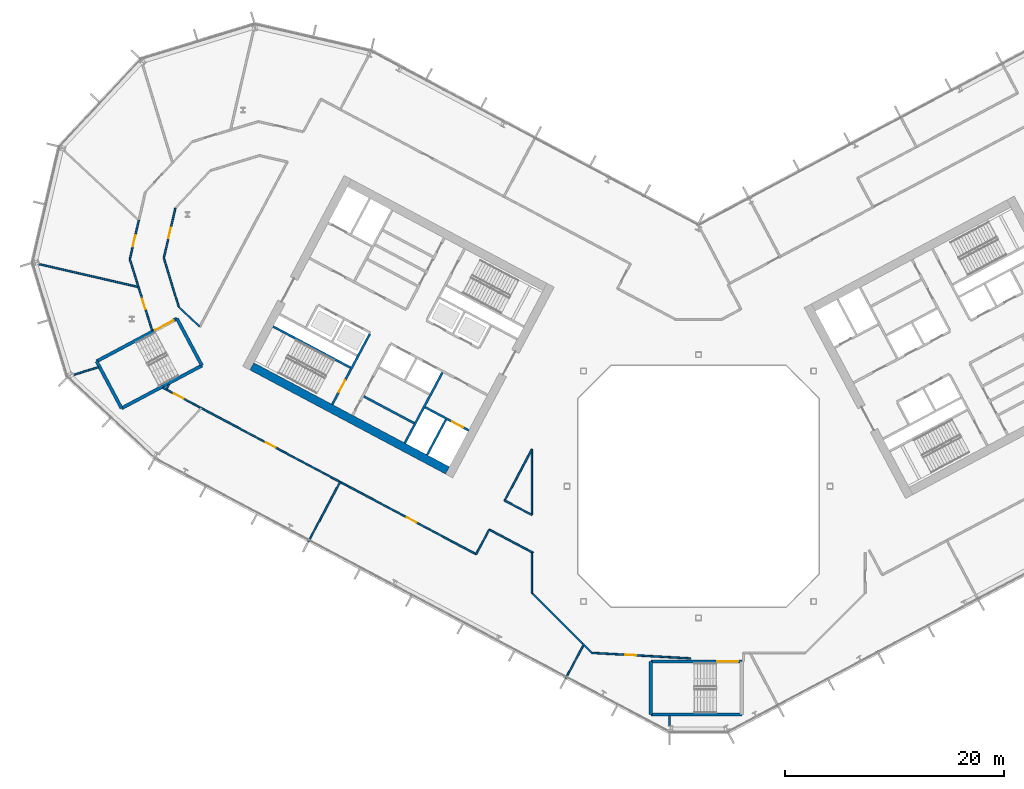
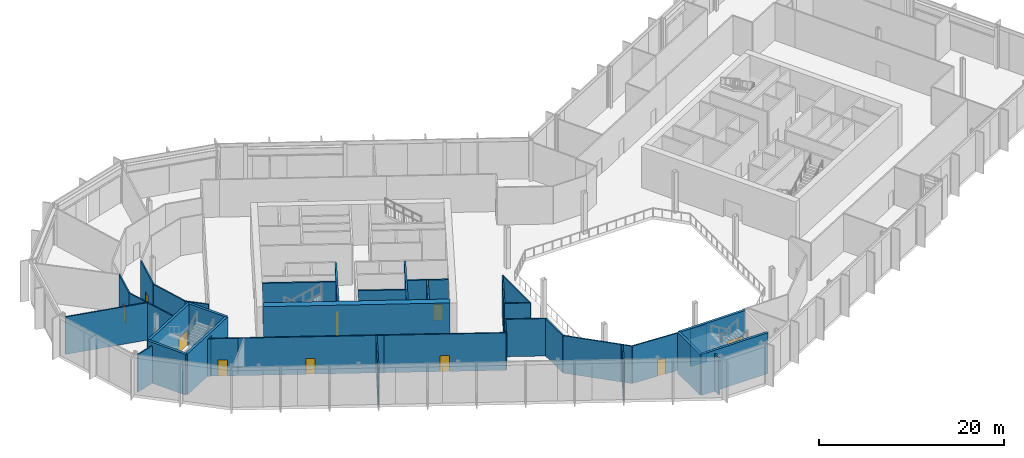
# One storey, part 13 of 31: 39 walls, 11 doors, 11 openings.
"""IFC4 building model written with IfcOpenShell, lengths in metres."""

from ifc_helpers import new_model, si_unit, direction, frame, frame_2d, origin, place, context, subcontext, project, spatial, rectangle, extrude, material, layer, layer_set, type_object, element, fill, save


model = new_model("IFC4")

# Units and contexts
model_context = context("Model", 3, precision=1e-05, world=origin(), true_north=direction((0.0, 1.0)))
body_context = subcontext(model_context, "Body", "Model", "MODEL_VIEW")
ifc_project = project(units=[si_unit("LENGTHUNIT", "METRE"), si_unit("AREAUNIT", "SQUARE_METRE"), si_unit("VOLUMEUNIT", "CUBIC_METRE"), si_unit("PLANEANGLEUNIT", "RADIAN"), si_unit("MASSUNIT", "GRAM", prefix="KILO")], contexts=[model_context])

# Site, building, storey
site_placement = place(None, origin())
site = spatial("IfcSite", under=ifc_project, at=site_placement, CompositionType="ELEMENT")
building_placement = place(site_placement, origin())
building = spatial("IfcBuilding", under=site, at=building_placement, Name="Cormorant Relay Tower", CompositionType="ELEMENT")
storey_placement = place(building_placement, frame((0.0, 0.0, 178.199951171875)))
storey = spatial("IfcBuildingStorey", under=building, at=storey_placement, Name="L38", CompositionType="ELEMENT", Elevation=178.199951171875)

# Walls
ifc_material_1 = material(Name="Concrete 40 MPa", Category="concrete")
ifc_layer_1 = layer(ifc_material_1, 0.199951171875)
ifc_layer_set_1 = layer_set([ifc_layer_1], Name="Core internal wall 200")
wall_type_1 = type_object("IfcWallType", Name="Core internal wall 200", PredefinedType="SOLIDWALL", material=ifc_layer_set_1)
wall_1_placement = place(storey_placement, frame((-25.936767578125, 5.74951171875, 0.0), z_axis=(0.0, 0.0, 1.0), x_axis=(-0.882934506056, 0.469496174655, 0.0)))
element("IfcWall", 1, at=wall_1_placement, inside=storey, type_object=wall_type_1, Name="L38 core A shaft and room wall", PredefinedType="SOLIDWALL", context=body_context, shape_type="SweptSolid", body=[
    extrude(rectangle(XDim=5.199951171875, YDim=0.199951171875, at=frame_2d((2.60009765625, 0.0))), origin(), (0.0, 0.0, 1.0), 5.400146484375),
])
ifc_material_2 = material(Name="Concrete 50 MPa", Category="concrete")
ifc_layer_2 = layer(ifc_material_2, 0.199951171875)
ifc_layer_set_2 = layer_set([ifc_layer_2], Name="Core shaft wall 200")
wall_type_2 = type_object("IfcWallType", Name="Core shaft wall 200", PredefinedType="SHEAR", material=ifc_layer_set_2)
wall_2_placement = place(storey_placement, frame((-23.04296875, 6.07958984375, 0.0), z_axis=(0.0, 0.0, 1.0), x_axis=(-0.469494272526, -0.882935517501, 0.0)))
element("IfcWall", 2, at=wall_2_placement, inside=storey, type_object=wall_type_2, Name="L38 core A shaft wall", PredefinedType="SHEAR", context=body_context, shape_type="SweptSolid", body=[
    extrude(rectangle(XDim=3.64990234375, YDim=0.199951171875, at=frame_2d((1.824951171875, 0.0))), origin(), (0.0, 0.0, 1.0), 5.400146484375),
])
wall_3_placement = place(storey_placement, frame((-23.360107421875, 10.38232421875, 0.0), z_axis=(0.0, 0.0, 1.0), x_axis=(-0.469480409012, -0.88294288918, 0.0)))
element("IfcWall", 3, at=wall_3_placement, inside=storey, type_object=wall_type_2, Name="L38 core A shaft wall", PredefinedType="SHEAR", context=body_context, shape_type="SweptSolid", body=[
    extrude(rectangle(XDim=7.300048828125, YDim=0.199951171875, at=frame_2d((3.64990234375, 0.0))), origin(), (0.0, 0.0, 1.0), 5.400146484375),
])

# Wall, opening, door
wall_4_placement = place(storey_placement, frame((-29.982421875, 13.9033203125, 0.0), z_axis=(0.0, 0.0, 1.0), x_axis=(-0.469454336211, -0.882956752176, 0.0)))
wall_4 = element("IfcWall", 4, at=wall_4_placement, inside=storey, type_object=wall_type_2, Name="L38 core A shaft wall", PredefinedType="SHEAR", context=body_context, shape_type="SweptSolid", body=[
    extrude(rectangle(XDim=7.300048828125, YDim=0.199951171875, at=frame_2d((3.64990234375, 0.0))), origin(), (0.0, 0.0, 1.0), 5.400146484375),
])
opening_1_placement = place(wall_4_placement, frame((4.800048828125, 0.0, 0.0)))
opening_1 = element("IfcOpeningElement", 5, at=opening_1_placement, cuts=wall_4, Name="Opening CDB-020", PredefinedType="OPENING", context=body_context, shape_type="SweptSolid", body=[
    extrude(rectangle(XDim=1.199951171875, YDim=2.10009765625, at=frame_2d((0.60009765625, 1.050048828125))), frame((0.0, 0.10986328125, 0.0), z_axis=(0.0, -1.0, 0.0), x_axis=(1.0, 0.0, 0.0)), (0.0, 0.0, 1.0), 0.219970703125),
])
ifc_material_3 = material(Name="Steel fire door", Category="steel")
door_type_1 = type_object("IfcDoorType", Name="Core stair door 1200x2100", OperationType="SINGLE_SWING_LEFT", PredefinedType="DOOR", material=ifc_material_3)
door_1_placement = place(opening_1_placement, frame((1.199951171875, 0.0, 0.0), z_axis=(0.0, 0.0, 1.0), x_axis=(-1.0, 0.0, 0.0)))
door_1 = element("IfcDoor", 6, at=door_1_placement, inside=storey, type_object=door_type_1, Name="Core stair door 1200x2100", OperationType="SINGLE_SWING_RIGHT", OverallHeight=2.10009765625, OverallWidth=1.199951171875, PredefinedType="DOOR", context=body_context, shape_type="SweptSolid", body=[
    extrude(rectangle(XDim=1.199951171875, YDim=2.10009765625, at=frame_2d((0.60009765625, 1.050048828125))), frame((0.0, 0.02490234375, 0.0), z_axis=(0.0, -1.0, 0.0), x_axis=(1.0, 0.0, 0.0)), (0.0, 0.0, 1.0), 0.050048828125),
])
fill(opening_1, door_1)

wall_5_placement = place(storey_placement, frame((-20.96533203125, 5.088134765625, 0.0), z_axis=(0.0, 0.0, 1.0), x_axis=(-0.882925986334, 0.469512196493, 0.0)))
wall_5 = element("IfcWall", 7, at=wall_5_placement, inside=storey, type_object=wall_type_2, Name="L38 core A shaft wall", PredefinedType="SHEAR", context=body_context, shape_type="SweptSolid", body=[
    extrude(rectangle(XDim=4.5, YDim=0.199951171875, at=frame_2d((2.25, 0.0))), origin(), (0.0, 0.0, 1.0), 5.400146484375),
])
opening_2_placement = place(wall_5_placement, frame((0.60009765625, 0.0, 0.0)))
opening_2 = element("IfcOpeningElement", 8, at=opening_2_placement, cuts=wall_5, Name="Opening LD1-019", PredefinedType="OPENING", context=body_context, shape_type="SweptSolid", body=[
    extrude(rectangle(XDim=1.10009765625, YDim=2.10009765625, at=frame_2d((0.550048828125, 1.050048828125))), frame((0.0, 0.10986328125, 0.0), z_axis=(0.0, -1.0, 0.0), x_axis=(1.0, 0.0, 0.0)), (0.0, 0.0, 1.0), 0.219970703125),
])
ifc_material_4 = material(Name="Stainless steel 316", Category="steel")
door_type_2 = type_object("IfcDoorType", Name="Lift landing door 1100x2100", OperationType="DOUBLE_DOOR_SLIDING", PredefinedType="DOOR", material=ifc_material_4)
door_2_placement = place(opening_2_placement, origin())
door_2 = element("IfcDoor", 9, at=door_2_placement, inside=storey, type_object=door_type_2, Name="FF1 landing door", OperationType="DOUBLE_DOOR_SLIDING", OverallHeight=2.10009765625, OverallWidth=1.10009765625, PredefinedType="DOOR", context=body_context, shape_type="SweptSolid", body=[
    extrude(rectangle(XDim=1.10009765625, YDim=2.10009765625, at=frame_2d((0.550048828125, 1.050048828125))), frame((0.0, 0.02490234375, 0.0), z_axis=(0.0, -1.0, 0.0), x_axis=(1.0, 0.0, 0.0)), (0.0, 0.0, 1.0), 0.050048828125),
])
fill(opening_2, door_2)

# Walls
wall_6_placement = place(storey_placement, frame((-31.7373046875, 10.815673828125, 0.0), z_axis=(0.0, 0.0, 1.0), x_axis=(-0.882940221191, 0.469485426614, 0.0)))
element("IfcWall", 10, at=wall_6_placement, inside=storey, type_object=wall_type_2, Name="L38 core A shaft wall", PredefinedType="SHEAR", context=body_context, shape_type="SweptSolid", body=[
    extrude(rectangle(XDim=8.0, YDim=0.199951171875, at=frame_2d((4.0, 0.0))), origin(), (0.0, 0.0, 1.0), 5.400146484375),
])
ifc_material_5 = material(Name="Concrete 60 MPa", Category="concrete")
ifc_layer_3 = layer(ifc_material_5, 0.75)
ifc_layer_set_3 = layer_set([ifc_layer_3], Name="Core wall 750")
wall_type_3 = type_object("IfcWallType", Name="Core wall 750", PredefinedType="SHEAR", material=ifc_layer_set_3)
wall_7_placement = place(storey_placement, frame((-22.90185546875, 1.446044921875, 0.0), z_axis=(0.0, 0.0, 1.0), x_axis=(-0.88294509198, 0.469476266226, 0.0)))
element("IfcWall", 11, at=wall_7_placement, inside=storey, type_object=wall_type_3, Name="L38 core A wall", PredefinedType="SHEAR", context=body_context, shape_type="SweptSolid", body=[
    extrude(rectangle(XDim=20.199951171875, YDim=0.75, at=frame_2d((10.10009765625, 0.0))), origin(), (0.0, 0.0, 1.0), 5.400146484375),
])

# Wall, opening, door
ifc_material_6 = material(Name="Gypsum board fire partition")
ifc_layer_4 = layer(ifc_material_6, 0.14990234375)
ifc_layer_set_4 = layer_set([ifc_layer_4], Name="Corridor partition 150 EI 60")
wall_type_4 = type_object("IfcWallType", Name="Corridor partition 150 EI 60", PredefinedType="PARTITIONING", material=ifc_layer_set_4)
wall_8_placement = place(storey_placement, frame((-51.04296875, 24.300048828125, 0.0), z_axis=(0.0, 0.0, 1.0), x_axis=(-0.225042980234, -0.974348837454, 0.0)))
wall_8 = element("IfcWall", 12, at=wall_8_placement, inside=storey, type_object=wall_type_4, Name="wall/L38/part/004", PredefinedType="PARTITIONING", context=body_context, shape_type="SweptSolid", body=[
    extrude(rectangle(XDim=3.69287109375, YDim=0.14990234375, at=frame_2d((1.846435546875, 0.0))), origin(), (0.0, 0.0, 1.0), 4.949951171875),
])
opening_3_placement = place(wall_8_placement, frame((1.470947265625, 0.0, 0.0)))
opening_3 = element("IfcOpeningElement", 13, at=opening_3_placement, cuts=wall_8, Name="Opening DS-101", PredefinedType="OPENING", context=body_context, shape_type="SweptSolid", body=[
    extrude(rectangle(XDim=1.0, YDim=2.10009765625, at=frame_2d((0.5, 1.050048828125))), frame((0.0, 0.0849609375, 0.0), z_axis=(0.0, -1.0, 0.0), x_axis=(1.0, 0.0, 0.0)), (0.0, 0.0, 1.0), 0.169921875),
])
ifc_material_7 = material(Name="Timber door leaf", Category="wood")
door_type_3 = type_object("IfcDoorType", Name="Suite door 1000x2100", OperationType="SINGLE_SWING_LEFT", PredefinedType="DOOR", material=ifc_material_7)
door_3_placement = place(opening_3_placement, frame((1.0, 0.0, 0.0), z_axis=(0.0, 0.0, 1.0), x_axis=(-1.0, 0.0, 0.0)))
door_3 = element("IfcDoor", 14, at=door_3_placement, inside=storey, type_object=door_type_3, Name="door/L38/014", OperationType="SINGLE_SWING_RIGHT", OverallHeight=2.10009765625, OverallWidth=1.0, PredefinedType="DOOR", context=body_context, shape_type="SweptSolid", body=[
    extrude(rectangle(XDim=1.0, YDim=2.10009765625, at=frame_2d((0.5, 1.050048828125))), frame((0.0, 0.02490234375, 0.0), z_axis=(0.0, -1.0, 0.0), x_axis=(1.0, 0.0, 0.0)), (0.0, 0.0, 1.0), 0.050048828125),
])
fill(opening_3, door_3)

# Wall
wall_9_placement = place(storey_placement, frame((-51.8740234375, 20.701904296875, 0.0), z_axis=(0.0, 0.0, 1.0), x_axis=(0.299019355328, -0.954247046178, 0.0)))
element("IfcWall", 15, at=wall_9_placement, inside=storey, type_object=wall_type_4, Name="wall/L38/part/005", PredefinedType="PARTITIONING", context=body_context, shape_type="SweptSolid", body=[
    extrude(rectangle(XDim=2.595458984375, YDim=0.14990234375, at=frame_2d((1.2978515625, 0.0))), origin(), (0.0, 0.0, 1.0), 4.949951171875),
])

# Wall, opening, door
wall_10_placement = place(storey_placement, frame((-49.8369140625, 14.199951171875, 0.0), z_axis=(0.0, 0.0, 1.0), x_axis=(-0.298950529123, 0.95426861058, 0.0)))
wall_10 = element("IfcWall", 16, at=wall_10_placement, inside=storey, type_object=wall_type_4, Name="wall/L38/part/006", PredefinedType="PARTITIONING", context=body_context, shape_type="SweptSolid", body=[
    extrude(rectangle(XDim=4.218017578125, YDim=0.14990234375, at=frame_2d((2.10888671875, 0.0))), origin(), (0.0, 0.0, 1.0), 4.949951171875),
])
opening_4_placement = place(wall_10_placement, frame((2.050048828125, 0.0, 0.0)))
opening_4 = element("IfcOpeningElement", 17, at=opening_4_placement, cuts=wall_10, Name="Opening DS-102", PredefinedType="OPENING", context=body_context, shape_type="SweptSolid", body=[
    extrude(rectangle(XDim=1.0, YDim=2.10009765625, at=frame_2d((0.5, 1.050048828125))), frame((0.0, 0.0849609375, 0.0), z_axis=(0.0, -1.0, 0.0), x_axis=(1.0, 0.0, 0.0)), (0.0, 0.0, 1.0), 0.169921875),
])
door_4_placement = place(opening_4_placement, origin())
door_4 = element("IfcDoor", 18, at=door_4_placement, inside=storey, type_object=door_type_3, Name="door/L38/015", OperationType="SINGLE_SWING_RIGHT", OverallHeight=2.10009765625, OverallWidth=1.0, PredefinedType="DOOR", context=body_context, shape_type="SweptSolid", body=[
    extrude(rectangle(XDim=1.0, YDim=2.10009765625, at=frame_2d((0.5, 1.050048828125))), frame((0.0, 0.02490234375, 0.0), z_axis=(0.0, -1.0, 0.0), x_axis=(1.0, 0.0, 0.0)), (0.0, 0.0, 1.0), 0.050048828125),
])
fill(opening_4, door_4)

# Wall
wall_11_placement = place(storey_placement, frame((-48.50537109375, 8.887939453125, 0.0), z_axis=(0.0, 0.0, 1.0), x_axis=(0.471490041511, 0.881871385609, 0.0)))
element("IfcWall", 19, at=wall_11_placement, inside=storey, type_object=wall_type_4, Name="wall/L38/part/012", PredefinedType="PARTITIONING", context=body_context, shape_type="SweptSolid", body=[
    extrude(rectangle(XDim=0.435546875, YDim=0.14990234375, at=frame_2d((0.2177734375, 0.0))), origin(), (0.0, 0.0, 1.0), 4.949951171875),
])

# Wall, opening, door
wall_12_placement = place(storey_placement, frame((-48.85888671875, 8.990966796875, 0.0), z_axis=(0.0, 0.0, 1.0), x_axis=(0.88285411743, -0.469647322293, 0.0)))
wall_12 = element("IfcWall", 20, at=wall_12_placement, inside=storey, type_object=wall_type_4, Name="wall/L38/part/013", PredefinedType="PARTITIONING", context=body_context, shape_type="SweptSolid", body=[
    extrude(rectangle(XDim=3.300537109375, YDim=0.14990234375, at=frame_2d((1.650390625, 0.0))), origin(), (0.0, 0.0, 1.0), 4.949951171875),
])
opening_5_placement = place(wall_12_placement, frame((1.14990234375, 0.0, 0.0)))
opening_5 = element("IfcOpeningElement", 21, at=opening_5_placement, cuts=wall_12, Name="Opening DS-103", PredefinedType="OPENING", context=body_context, shape_type="SweptSolid", body=[
    extrude(rectangle(XDim=1.0, YDim=2.10009765625, at=frame_2d((0.5, 1.050048828125))), frame((0.0, 0.0849609375, 0.0), z_axis=(0.0, -1.0, 0.0), x_axis=(1.0, 0.0, 0.0)), (0.0, 0.0, 1.0), 0.169921875),
])
door_5_placement = place(opening_5_placement, frame((1.0, 0.0, 0.0), z_axis=(0.0, 0.0, 1.0), x_axis=(-1.0, 0.0, 0.0)))
door_5 = element("IfcDoor", 22, at=door_5_placement, inside=storey, type_object=door_type_3, Name="door/L38/016", OperationType="SINGLE_SWING_RIGHT", OverallHeight=2.10009765625, OverallWidth=1.0, PredefinedType="DOOR", context=body_context, shape_type="SweptSolid", body=[
    extrude(rectangle(XDim=1.0, YDim=2.10009765625, at=frame_2d((0.5, 1.050048828125))), frame((0.0, 0.02490234375, 0.0), z_axis=(0.0, -1.0, 0.0), x_axis=(1.0, 0.0, 0.0)), (0.0, 0.0, 1.0), 0.050048828125),
])
fill(opening_5, door_5)

wall_13_placement = place(storey_placement, frame((-31.991943359375, 0.02197265625, 0.0), z_axis=(0.0, 0.0, 1.0), x_axis=(-0.882949241478, 0.469468462172, 0.0)))
wall_13 = element("IfcWall", 23, at=wall_13_placement, inside=storey, type_object=wall_type_4, Name="wall/L38/part/016", PredefinedType="PARTITIONING", context=body_context, shape_type="SweptSolid", body=[
    extrude(rectangle(XDim=15.802978515625, YDim=0.14990234375, at=frame_2d((7.9013671875, 0.0))), origin(), (0.0, 0.0, 1.0), 4.949951171875),
])
opening_6_placement = place(wall_13_placement, frame((7.448974609375, 0.0, 0.0)))
opening_6 = element("IfcOpeningElement", 24, at=opening_6_placement, cuts=wall_13, Name="Opening DS-104", PredefinedType="OPENING", context=body_context, shape_type="SweptSolid", body=[
    extrude(rectangle(XDim=1.0, YDim=2.10009765625, at=frame_2d((0.5, 1.050048828125))), frame((0.0, 0.0849609375, 0.0), z_axis=(0.0, -1.0, 0.0), x_axis=(1.0, 0.0, 0.0)), (0.0, 0.0, 1.0), 0.169921875),
])
door_6_placement = place(opening_6_placement, origin())
door_6 = element("IfcDoor", 25, at=door_6_placement, inside=storey, type_object=door_type_3, Name="door/L38/017", OperationType="SINGLE_SWING_LEFT", OverallHeight=2.10009765625, OverallWidth=1.0, PredefinedType="DOOR", context=body_context, shape_type="SweptSolid", body=[
    extrude(rectangle(XDim=1.0, YDim=2.10009765625, at=frame_2d((0.5, 1.050048828125))), frame((0.0, 0.02490234375, 0.0), z_axis=(0.0, -1.0, 0.0), x_axis=(1.0, 0.0, 0.0)), (0.0, 0.0, 1.0), 0.050048828125),
])
fill(opening_6, door_6)

wall_14_placement = place(storey_placement, frame((-20.285888671875, -6.201904296875, 0.0), z_axis=(0.0, 0.0, 1.0), x_axis=(-0.882958308518, 0.469451409007, 0.0)))
wall_14 = element("IfcWall", 26, at=wall_14_placement, inside=storey, type_object=wall_type_4, Name="wall/L38/part/024", PredefinedType="PARTITIONING", context=body_context, shape_type="SweptSolid", body=[
    extrude(rectangle(XDim=13.2578125, YDim=0.14990234375, at=frame_2d((6.62890625, 0.0))), origin(), (0.0, 0.0, 1.0), 4.949951171875),
])
opening_7_placement = place(wall_14_placement, frame((6.14990234375, 0.0, 0.0)))
opening_7 = element("IfcOpeningElement", 27, at=opening_7_placement, cuts=wall_14, Name="Opening DS-105", PredefinedType="OPENING", context=body_context, shape_type="SweptSolid", body=[
    extrude(rectangle(XDim=1.0, YDim=2.10009765625, at=frame_2d((0.5, 1.050048828125))), frame((0.0, 0.0849609375, 0.0), z_axis=(0.0, -1.0, 0.0), x_axis=(1.0, 0.0, 0.0)), (0.0, 0.0, 1.0), 0.169921875),
])
door_7_placement = place(opening_7_placement, origin())
door_7 = element("IfcDoor", 28, at=door_7_placement, inside=storey, type_object=door_type_3, Name="door/L38/018", OperationType="SINGLE_SWING_LEFT", OverallHeight=2.10009765625, OverallWidth=1.0, PredefinedType="DOOR", context=body_context, shape_type="SweptSolid", body=[
    extrude(rectangle(XDim=1.0, YDim=2.10009765625, at=frame_2d((0.5, 1.050048828125))), frame((0.0, 0.02490234375, 0.0), z_axis=(0.0, -1.0, 0.0), x_axis=(1.0, 0.0, 0.0)), (0.0, 0.0, 1.0), 0.050048828125),
])
fill(opening_7, door_7)

# Walls
wall_15_placement = place(storey_placement, frame((-20.287109375, -6.201904296875, 0.0), z_axis=(0.0, 0.0, 1.0), x_axis=(0.469737002115, 0.882806405077, 0.0)))
element("IfcWall", 29, at=wall_15_placement, inside=storey, type_object=wall_type_4, Name="wall/L38/part/025", PredefinedType="PARTITIONING", context=body_context, shape_type="SweptSolid", body=[
    extrude(rectangle(XDim=2.546142578125, YDim=0.14990234375, at=frame_2d((1.27294921875, 0.0))), origin(), (0.0, 0.0, 1.0), 4.949951171875),
])
wall_16_placement = place(storey_placement, frame((-19.089111328125, -3.950927734375, 0.0), z_axis=(0.0, 0.0, 1.0), x_axis=(0.882996405651, -0.46937974776, 0.0)))
element("IfcWall", 30, at=wall_16_placement, inside=storey, type_object=wall_type_4, Name="wall/L38/part/027", PredefinedType="PARTITIONING", context=body_context, shape_type="SweptSolid", body=[
    extrude(rectangle(XDim=4.531494140625, YDim=0.14990234375, at=frame_2d((2.265625, 0.0))), origin(), (0.0, 0.0, 1.0), 4.949951171875),
])
wall_17_placement = place(storey_placement, frame((-10.60498046875, -14.333984375, 0.0), z_axis=(0.0, 0.0, 1.0), x_axis=(-0.707181925371, 0.707031629016, 0.0)))
element("IfcWall", 31, at=wall_17_placement, inside=storey, type_object=wall_type_4, Name="wall/L38/part/030", PredefinedType="PARTITIONING", context=body_context, shape_type="SweptSolid", body=[
    extrude(rectangle(XDim=6.49755859375, YDim=0.14990234375, at=frame_2d((3.248779296875, 0.0))), origin(), (0.0, 0.0, 1.0), 4.949951171875),
])
wall_18_placement = place(storey_placement, frame((-15.199951171875, -9.739990234375, 0.0), z_axis=(0.0, 0.0, 1.0), x_axis=(0.0, 1.0, 0.0)))
element("IfcWall", 32, at=wall_18_placement, inside=storey, type_object=wall_type_4, Name="wall/L38/part/031", PredefinedType="PARTITIONING", context=body_context, shape_type="SweptSolid", body=[
    extrude(rectangle(XDim=3.68505859375, YDim=0.14990234375, at=frame_2d((1.842529296875, 0.0))), origin(), (0.0, 0.0, 1.0), 4.949951171875),
])
wall_19_placement = place(storey_placement, frame((-9.739990234375, -15.199951171875, 0.0), z_axis=(0.0, 0.0, 1.0), x_axis=(-0.706707736823, 0.707505600483, 0.0)))
element("IfcWall", 33, at=wall_19_placement, inside=storey, type_object=wall_type_4, Name="wall/L38/part/033", PredefinedType="PARTITIONING", context=body_context, shape_type="SweptSolid", body=[
    extrude(rectangle(XDim=1.223876953125, YDim=0.14990234375, at=frame_2d((0.61181640625, 0.0))), origin(), (0.0, 0.0, 1.0), 4.949951171875),
])

# Wall, opening, door
wall_20_placement = place(storey_placement, frame((-2.658935546875, -15.594970703125, 0.0), z_axis=(0.0, 0.0, 1.0), x_axis=(-0.998447616415, 0.055698808556, 0.0)))
wall_20 = element("IfcWall", 34, at=wall_20_placement, inside=storey, type_object=wall_type_4, Name="wall/L38/part/034", PredefinedType="PARTITIONING", context=body_context, shape_type="SweptSolid", body=[
    extrude(rectangle(XDim=7.092041015625, YDim=0.14990234375, at=frame_2d((3.5458984375, 0.0))), origin(), (0.0, 0.0, 1.0), 4.949951171875),
])
opening_8_placement = place(wall_20_placement, frame((3.050048828125, 0.0, 0.0)))
opening_8 = element("IfcOpeningElement", 35, at=opening_8_placement, cuts=wall_20, Name="Opening DS-106", PredefinedType="OPENING", context=body_context, shape_type="SweptSolid", body=[
    extrude(rectangle(XDim=1.0, YDim=2.10009765625, at=frame_2d((0.5, 1.050048828125))), frame((0.0, 0.0849609375, 0.0), z_axis=(0.0, -1.0, 0.0), x_axis=(1.0, 0.0, 0.0)), (0.0, 0.0, 1.0), 0.169921875),
])
door_8_placement = place(opening_8_placement, origin())
door_8 = element("IfcDoor", 36, at=door_8_placement, inside=storey, type_object=door_type_3, Name="door/L38/019", OperationType="SINGLE_SWING_LEFT", OverallHeight=2.10009765625, OverallWidth=1.0, PredefinedType="DOOR", context=body_context, shape_type="SweptSolid", body=[
    extrude(rectangle(XDim=1.0, YDim=2.10009765625, at=frame_2d((0.5, 1.050048828125))), frame((0.0, 0.02490234375, 0.0), z_axis=(0.0, -1.0, 0.0), x_axis=(1.0, 0.0, 0.0)), (0.0, 0.0, 1.0), 0.050048828125),
])
fill(opening_8, door_8)

# Wall
wall_21_placement = place(storey_placement, frame((-0.697998046875, -15.705078125, 0.0), z_axis=(0.0, 0.0, 1.0), x_axis=(-0.998427284327, 0.056062089795, 0.0)))
element("IfcWall", 37, at=wall_21_placement, inside=storey, type_object=wall_type_4, Name="wall/L38/part/039", PredefinedType="PARTITIONING", context=body_context, shape_type="SweptSolid", body=[
    extrude(rectangle(XDim=1.964111328125, YDim=0.14990234375, at=frame_2d((0.98193359375, 0.0))), origin(), (0.0, 0.0, 1.0), 4.949951171875),
])

# Wall, opening, door
wall_22_placement = place(storey_placement, frame((-48.77001953125, 20.81103515625, 0.0), z_axis=(0.0, 0.0, 1.0), x_axis=(0.224992850796, 0.97436041437, 0.0)))
wall_22 = element("IfcWall", 38, at=wall_22_placement, inside=storey, type_object=wall_type_4, Name="wall/L38/part/073", PredefinedType="PARTITIONING", context=body_context, shape_type="SweptSolid", body=[
    extrude(rectangle(XDim=4.679931640625, YDim=0.14990234375, at=frame_2d((2.33984375, 0.0))), origin(), (0.0, 0.0, 1.0), 4.949951171875),
])
opening_9_placement = place(wall_22_placement, frame((1.85009765625, 0.0, 0.0)))
opening_9 = element("IfcOpeningElement", 39, at=opening_9_placement, cuts=wall_22, Name="Opening DS-089", PredefinedType="OPENING", context=body_context, shape_type="SweptSolid", body=[
    extrude(rectangle(XDim=1.0, YDim=2.10009765625, at=frame_2d((0.5, 1.050048828125))), frame((0.0, 0.0849609375, 0.0), z_axis=(0.0, -1.0, 0.0), x_axis=(1.0, 0.0, 0.0)), (0.0, 0.0, 1.0), 0.169921875),
])
door_9_placement = place(opening_9_placement, origin())
door_9 = element("IfcDoor", 40, at=door_9_placement, inside=storey, type_object=door_type_3, Name="door/L38/001", OperationType="SINGLE_SWING_LEFT", OverallHeight=2.10009765625, OverallWidth=1.0, PredefinedType="DOOR", context=body_context, shape_type="SweptSolid", body=[
    extrude(rectangle(XDim=1.0, YDim=2.10009765625, at=frame_2d((0.5, 1.050048828125))), frame((0.0, 0.02490234375, 0.0), z_axis=(0.0, -1.0, 0.0), x_axis=(1.0, 0.0, 0.0)), (0.0, 0.0, 1.0), 0.050048828125),
])
fill(opening_9, door_9)

# Walls
wall_23_placement = place(storey_placement, frame((-45.491943359375, 14.553955078125, 0.0), z_axis=(0.0, 0.0, 1.0), x_axis=(-0.731369352177, 0.681981576508, 0.0)))
element("IfcWall", 41, at=wall_23_placement, inside=storey, type_object=wall_type_4, Name="wall/L38/part/078", PredefinedType="PARTITIONING", context=body_context, shape_type="SweptSolid", body=[
    extrude(rectangle(XDim=2.610107421875, YDim=0.14990234375, at=frame_2d((1.30517578125, 0.0))), origin(), (0.0, 0.0, 1.0), 4.949951171875),
])
wall_24_placement = place(storey_placement, frame((-47.40087890625, 16.333984375, 0.0), z_axis=(0.0, 0.0, 1.0), x_axis=(-0.292443752142, 0.956282725889, 0.0)))
element("IfcWall", 42, at=wall_24_placement, inside=storey, type_object=wall_type_4, Name="wall/L38/part/079", PredefinedType="PARTITIONING", context=body_context, shape_type="SweptSolid", body=[
    extrude(rectangle(XDim=4.681640625, YDim=0.14990234375, at=frame_2d((2.3408203125, 0.0))), origin(), (0.0, 0.0, 1.0), 4.949951171875),
])
wall_25_placement = place(storey_placement, frame((-15.199951171875, -2.62109375, 0.0), z_axis=(0.0, 0.0, 1.0), x_axis=(0.0, 1.0, 0.0)))
element("IfcWall", 43, at=wall_25_placement, inside=storey, type_object=wall_type_4, Name="wall/L38/part/080", PredefinedType="PARTITIONING", context=body_context, shape_type="SweptSolid", body=[
    extrude(rectangle(XDim=5.985107421875, YDim=0.14990234375, at=frame_2d((2.99267578125, 0.0))), origin(), (0.0, 0.0, 1.0), 4.949951171875),
])
wall_26_placement = place(storey_placement, frame((-15.199951171875, 3.364013671875, 0.0), z_axis=(0.0, 0.0, 1.0), x_axis=(-0.469470458601, -0.882948179963, 0.0)))
element("IfcWall", 44, at=wall_26_placement, inside=storey, type_object=wall_type_4, Name="wall/L38/part/081", PredefinedType="PARTITIONING", context=body_context, shape_type="SweptSolid", body=[
    extrude(rectangle(XDim=5.28466796875, YDim=0.14990234375, at=frame_2d((2.642333984375, 0.0))), origin(), (0.0, 0.0, 1.0), 4.949951171875),
])
wall_27_placement = place(storey_placement, frame((-17.680908203125, -1.302001953125, 0.0), z_axis=(0.0, 0.0, 1.0), x_axis=(0.882955921388, -0.469455898766, 0.0)))
element("IfcWall", 45, at=wall_27_placement, inside=storey, type_object=wall_type_4, Name="wall/L38/part/082", PredefinedType="PARTITIONING", context=body_context, shape_type="SweptSolid", body=[
    extrude(rectangle(XDim=2.809814453125, YDim=0.14990234375, at=frame_2d((1.40478515625, 0.0))), origin(), (0.0, 0.0, 1.0), 4.949951171875),
])
ifc_material_8 = material(Name="Concrete 50 MPa", Category="concrete")
ifc_layer_5 = layer(ifc_material_8, 0.300048828125)
ifc_layer_set_5 = layer_set([ifc_layer_5], Name="Remote stair wall 300")
wall_type_5 = type_object("IfcWallType", Name="Remote stair wall 300", PredefinedType="SHEAR", material=ifc_layer_set_5)
wall_28_placement = place(storey_placement, frame((3.949951171875, -20.824951171875, 0.0), z_axis=(0.0, 0.0, 1.0), x_axis=(-1.0, 0.0, 0.0)))
element("IfcWall", 46, at=wall_28_placement, inside=storey, type_object=wall_type_5, Name="L38 exit stair RK1 wall", PredefinedType="SHEAR", context=body_context, shape_type="SweptSolid", body=[
    extrude(rectangle(XDim=8.300048828125, YDim=0.300048828125, at=frame_2d((4.14990234375, 0.0))), origin(), (0.0, 0.0, 1.0), 5.400146484375),
])
wall_29_placement = place(storey_placement, frame((-4.35009765625, -20.824951171875, 0.0), z_axis=(0.0, 0.0, 1.0), x_axis=(0.0, 1.0, 0.0)))
element("IfcWall", 47, at=wall_29_placement, inside=storey, type_object=wall_type_5, Name="L38 exit stair RK1 wall", PredefinedType="SHEAR", context=body_context, shape_type="SweptSolid", body=[
    extrude(rectangle(XDim=4.849853515625, YDim=0.300048828125, at=frame_2d((2.4248046875, 0.0))), origin(), (0.0, 0.0, 1.0), 5.400146484375),
])

# Wall, opening, door
wall_30_placement = place(storey_placement, frame((-4.35009765625, -15.97509765625, 0.0), z_axis=(0.0, 0.0, 1.0), x_axis=(1.0, 0.0, 0.0)))
wall_30 = element("IfcWall", 48, at=wall_30_placement, inside=storey, type_object=wall_type_5, Name="L38 exit stair RK1 wall", PredefinedType="SHEAR", context=body_context, shape_type="SweptSolid", body=[
    extrude(rectangle(XDim=8.300048828125, YDim=0.300048828125, at=frame_2d((4.14990234375, 0.0))), origin(), (0.0, 0.0, 1.0), 5.400146484375),
])
opening_10_placement = place(wall_30_placement, frame((6.050048828125, 0.0, 0.0)))
opening_10 = element("IfcOpeningElement", 49, at=opening_10_placement, cuts=wall_30, Name="Opening CDE-006", PredefinedType="OPENING", context=body_context, shape_type="SweptSolid", body=[
    extrude(rectangle(XDim=1.89990234375, YDim=2.10009765625, at=frame_2d((0.949951171875, 1.050048828125))), frame((0.0, 0.159912109375, 0.0), z_axis=(0.0, -1.0, 0.0), x_axis=(1.0, 0.0, 0.0)), (0.0, 0.0, 1.0), 0.320068359375),
])
ifc_material_9 = material(Name="Steel fire door", Category="steel")
door_type_4 = type_object("IfcDoorType", Name="Remote stair door 1900x2100", OperationType="DOUBLE_DOOR_SINGLE_SWING", PredefinedType="DOOR", material=ifc_material_9)
door_10_placement = place(opening_10_placement, frame((1.89990234375, 0.0, 0.0), z_axis=(0.0, 0.0, 1.0), x_axis=(-1.0, 0.0, 0.0)))
door_10 = element("IfcDoor", 50, at=door_10_placement, inside=storey, type_object=door_type_4, Name="Exit stair RK1 door", OperationType="DOUBLE_DOOR_SINGLE_SWING", OverallHeight=2.10009765625, OverallWidth=1.89990234375, PredefinedType="DOOR", context=body_context, shape_type="SweptSolid", body=[
    extrude(rectangle(XDim=1.89990234375, YDim=2.10009765625, at=frame_2d((0.949951171875, 1.050048828125))), frame((0.0, 0.02490234375, 0.0), z_axis=(0.0, -1.0, 0.0), x_axis=(1.0, 0.0, 0.0)), (0.0, 0.0, 1.0), 0.050048828125),
])
fill(opening_10, door_10)

# Walls
wall_31_placement = place(storey_placement, frame((-47.57421875, 15.28955078125, 0.0), z_axis=(0.0, 0.0, 1.0), x_axis=(0.469443498566, -0.882962514297, 0.0)))
element("IfcWall", 51, at=wall_31_placement, inside=storey, type_object=wall_type_5, Name="L38 exit stair RP1 wall", PredefinedType="SHEAR", context=body_context, shape_type="SweptSolid", body=[
    extrude(rectangle(XDim=4.85009765625, YDim=0.300048828125, at=frame_2d((2.425048828125, 0.0))), origin(), (0.0, 0.0, 1.0), 5.400146484375),
])
wall_32_placement = place(storey_placement, frame((-45.29736328125, 11.007080078125, 0.0), z_axis=(0.0, 0.0, 1.0), x_axis=(-0.882951519127, -0.469464178475, 0.0)))
element("IfcWall", 52, at=wall_32_placement, inside=storey, type_object=wall_type_5, Name="L38 exit stair RP1 wall", PredefinedType="SHEAR", context=body_context, shape_type="SweptSolid", body=[
    extrude(rectangle(XDim=8.2998046875, YDim=0.300048828125, at=frame_2d((4.14990234375, 0.0))), origin(), (0.0, 0.0, 1.0), 5.400146484375),
])
wall_33_placement = place(storey_placement, frame((-52.625732421875, 7.110595703125, 0.0), z_axis=(0.0, 0.0, 1.0), x_axis=(-0.469464364128, 0.882951420416, 0.0)))
element("IfcWall", 53, at=wall_33_placement, inside=storey, type_object=wall_type_5, Name="L38 exit stair RP1 wall", PredefinedType="SHEAR", context=body_context, shape_type="SweptSolid", body=[
    extrude(rectangle(XDim=4.849853515625, YDim=0.300048828125, at=frame_2d((2.4248046875, 0.0))), origin(), (0.0, 0.0, 1.0), 5.400146484375),
])

# Wall, opening, door
wall_34_placement = place(storey_placement, frame((-54.902587890625, 11.392822265625, 0.0), z_axis=(0.0, 0.0, 1.0), x_axis=(0.882939326045, 0.469487110071, 0.0)))
wall_34 = element("IfcWall", 54, at=wall_34_placement, inside=storey, type_object=wall_type_5, Name="L38 exit stair RP1 wall", PredefinedType="SHEAR", context=body_context, shape_type="SweptSolid", body=[
    extrude(rectangle(XDim=8.300048828125, YDim=0.300048828125, at=frame_2d((4.14990234375, 0.0))), origin(), (0.0, 0.0, 1.0), 5.400146484375),
])
opening_11_placement = place(wall_34_placement, frame((6.050048828125, 0.0, 0.0)))
opening_11 = element("IfcOpeningElement", 55, at=opening_11_placement, cuts=wall_34, Name="Opening CDE-007", PredefinedType="OPENING", context=body_context, shape_type="SweptSolid", body=[
    extrude(rectangle(XDim=1.89990234375, YDim=2.10009765625, at=frame_2d((0.949951171875, 1.050048828125))), frame((0.0, 0.159912109375, 0.0), z_axis=(0.0, -1.0, 0.0), x_axis=(1.0, 0.0, 0.0)), (0.0, 0.0, 1.0), 0.320068359375),
])
door_11_placement = place(opening_11_placement, frame((1.89990234375, 0.0, 0.0), z_axis=(0.0, 0.0, 1.0), x_axis=(-1.0, 0.0, 0.0)))
door_11 = element("IfcDoor", 56, at=door_11_placement, inside=storey, type_object=door_type_4, Name="Exit stair RP1 door", OperationType="DOUBLE_DOOR_SINGLE_SWING", OverallHeight=2.10009765625, OverallWidth=1.89990234375, PredefinedType="DOOR", context=body_context, shape_type="SweptSolid", body=[
    extrude(rectangle(XDim=1.89990234375, YDim=2.10009765625, at=frame_2d((0.949951171875, 1.050048828125))), frame((0.0, 0.02490234375, 0.0), z_axis=(0.0, -1.0, 0.0), x_axis=(1.0, 0.0, 0.0)), (0.0, 0.0, 1.0), 0.050048828125),
])
fill(opening_11, door_11)

# Walls
ifc_material_10 = material(Name="Gypsum board partition")
ifc_layer_6 = layer(ifc_material_10, 0.14990234375)
ifc_layer_set_6 = layer_set([ifc_layer_6], Name="Tenant partition 150")
wall_type_6 = type_object("IfcWallType", Name="Tenant partition 150", PredefinedType="PARTITIONING", material=ifc_layer_set_6)
wall_35_placement = place(storey_placement, frame((-51.080078125, 18.16796875, 0.0), z_axis=(0.0, 0.0, 1.0), x_axis=(-0.974360209432, 0.224993738301, 0.0)))
element("IfcWall", 57, at=wall_35_placement, inside=storey, type_object=wall_type_6, Name="wall/L38/part/001", PredefinedType="PARTITIONING", context=body_context, shape_type="SweptSolid", body=[
    extrude(rectangle(XDim=9.29833984375, YDim=0.14990234375, at=frame_2d((4.649169921875, 0.0))), origin(), (0.0, 0.0, 1.0), 4.949951171875),
])
wall_36_placement = place(storey_placement, frame((-54.73193359375, 10.85693359375, 0.0), z_axis=(0.0, 0.0, 1.0), x_axis=(-0.956196980242, -0.292723991119, 0.0)))
element("IfcWall", 58, at=wall_36_placement, inside=storey, type_object=wall_type_6, Name="wall/L38/part/003", PredefinedType="PARTITIONING", context=body_context, shape_type="SweptSolid", body=[
    extrude(rectangle(XDim=2.343505859375, YDim=0.14990234375, at=frame_2d((1.171875, 0.0))), origin(), (0.0, 0.0, 1.0), 4.949951171875),
])
wall_37_placement = place(storey_placement, frame((-32.69189453125, 0.39404296875, 0.0), z_axis=(0.0, 0.0, 1.0), x_axis=(-0.469533299698, -0.882914763992, 0.0)))
element("IfcWall", 59, at=wall_37_placement, inside=storey, type_object=wall_type_6, Name="wall/L38/part/011", PredefinedType="PARTITIONING", context=body_context, shape_type="SweptSolid", body=[
    extrude(rectangle(XDim=6.199951171875, YDim=0.14990234375, at=frame_2d((3.10009765625, 0.0))), origin(), (0.0, 0.0, 1.0), 4.949951171875),
])
wall_38_placement = place(storey_placement, frame((-10.48193359375, -14.4580078125, 0.0), z_axis=(0.0, 0.0, 1.0), x_axis=(-0.469639476558, -0.88285829104, 0.0)))
element("IfcWall", 60, at=wall_38_placement, inside=storey, type_object=wall_type_6, Name="wall/L38/part/032", PredefinedType="PARTITIONING", context=body_context, shape_type="SweptSolid", body=[
    extrude(rectangle(XDim=3.513671875, YDim=0.14990234375, at=frame_2d((1.7568359375, 0.0))), origin(), (0.0, 0.0, 1.0), 4.949951171875),
])
wall_39_placement = place(storey_placement, frame((-2.64892578125, -20.925048828125, 0.0), z_axis=(0.0, 0.0, 1.0), x_axis=(0.0, -1.0, 0.0)))
element("IfcWall", 61, at=wall_39_placement, inside=storey, type_object=wall_type_6, Name="wall/L38/part/040", PredefinedType="PARTITIONING", context=body_context, shape_type="SweptSolid", body=[
    extrude(rectangle(XDim=0.90283203125, YDim=0.14990234375, at=frame_2d((0.451416015625, 0.0))), origin(), (0.0, 0.0, 1.0), 4.949951171875),
])

save(model, "model.ifc")
